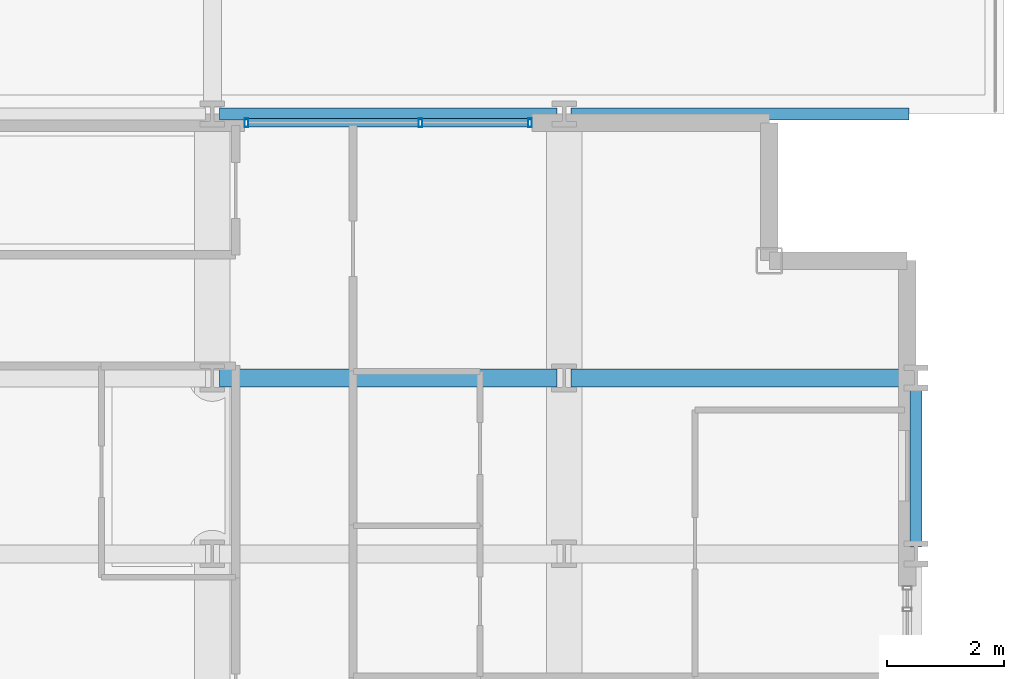
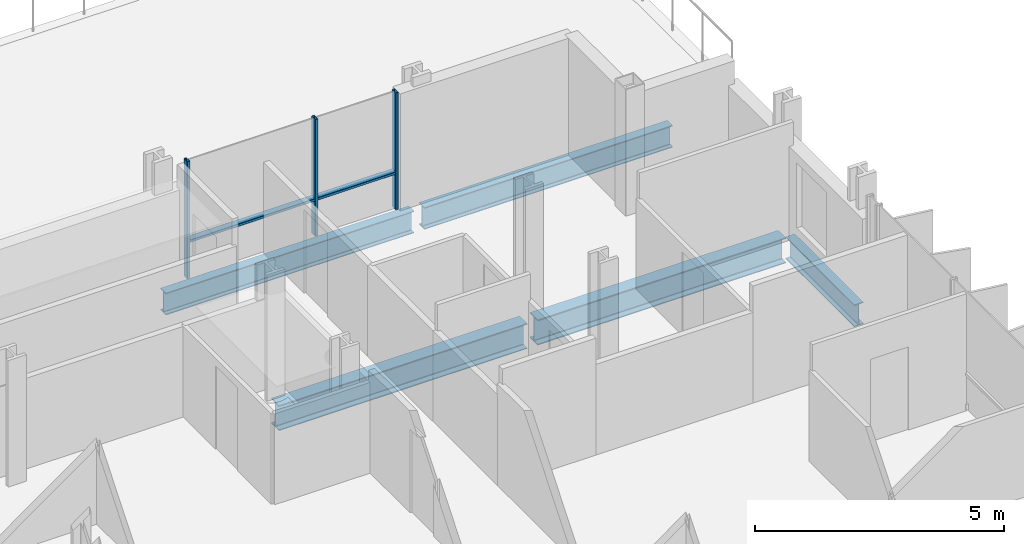
# One storey, part 20 of 38: 5 beams, 5 members, 1 element without a shape of its own.
"""IFC4 building model written with IfcOpenShell, lengths in metres."""

from ifc_helpers import new_model, si_unit, direction, frame, origin, origin_2d, place, context, subcontext, project, spatial, hollow_rectangle, i_section, extrude, material, layer, layer_set, material_profile, profile_set, type_object, element, aggregate, save


model = new_model("IFC4")

# Units and contexts
model_context = context("Model", 3, precision=1e-05, world=origin(), true_north=direction((0.0, 1.0)))
body_context = subcontext(model_context, "Body", "Model", "MODEL_VIEW")
ifc_project = project(units=[si_unit("LENGTHUNIT", "METRE"), si_unit("AREAUNIT", "SQUARE_METRE"), si_unit("VOLUMEUNIT", "CUBIC_METRE"), si_unit("PLANEANGLEUNIT", "RADIAN"), si_unit("MASSUNIT", "GRAM", prefix="KILO")], contexts=[model_context])

# Site, building, storey
site_placement = place(None, origin())
site = spatial("IfcSite", under=ifc_project, at=site_placement, CompositionType="ELEMENT")
building_placement = place(site_placement, origin())
building = spatial("IfcBuilding", under=site, at=building_placement, Name="Brevholm Reach", CompositionType="ELEMENT")
storey_placement = place(building_placement, frame((0.0, 0.0, 28.0)))
storey = spatial("IfcBuildingStorey", under=building, at=storey_placement, Name="L06", CompositionType="ELEMENT", Elevation=28.0)

# Beams
ifc_material_1 = material(Name="Structural Steel S355J2", Category="steel")
ifc_material_profile_1 = material_profile(ifc_material_1, i_section(OverallWidth=0.210693359375, OverallDepth=0.53955078125, WebThickness=0.01171875, FlangeThickness=0.018798828125, FilletRadius=0.0126953125, at=origin_2d()), Name="UKB 533x210x109")
ifc_profile_set_1 = profile_set([ifc_material_profile_1], Name="Structural Steel S355J2")
beam_type_1 = type_object("IfcBeamType", Name="BM-SP539", PredefinedType="SPANDREL", material=ifc_profile_set_1)
for number, where, z_axis, x_axis, name in (
    (1, (48.1201171875, 31.0, -0.539794921875), (1.0, 0.0, 0.0), (0.0, 1.0, 0.0), "L06 SP-01B Framing Beam"),
    (2, (54.1201171875, 31.0, -0.539794921875), (1.0, 0.0, 0.0), (0.0, 1.0, 0.0), "L06 SP-01B Framing Beam"),
):
    element("IfcBeam", number, at=place(storey_placement, frame(where, z_axis=z_axis, x_axis=x_axis)), inside=storey, type_object=beam_type_1, Name=name, PredefinedType="SPANDREL", context=body_context, shape_type="SweptSolid", body=[
        extrude(i_section(OverallWidth=0.210693359375, OverallDepth=0.53955078125, WebThickness=0.01171875, FlangeThickness=0.018798828125, FilletRadius=0.0126953125, at=origin_2d()), origin(), (0.0, 0.0, 1.0), 5.759765625),
    ])
beam_placement = place(storey_placement, frame((60.0, 23.6201171875, -0.539794921875), z_axis=(0.0, 1.0, 0.0), x_axis=(-1.0, 0.0, 0.0)))
element("IfcBeam", 3, at=beam_placement, inside=storey, type_object=beam_type_1, Name="L06 SP-01B Framing Beam", PredefinedType="SPANDREL", context=body_context, shape_type="SweptSolid", body=[
    extrude(i_section(OverallWidth=0.210693359375, OverallDepth=0.53955078125, WebThickness=0.01171875, FlangeThickness=0.018798828125, FilletRadius=0.0126953125, at=origin_2d()), origin(), (0.0, 0.0, 1.0), 2.759765625),
])
ifc_material_2 = material(Name="Structural Steel S355J2", Category="steel")
ifc_material_profile_2 = material_profile(ifc_material_2, i_section(OverallWidth=0.30712890625, OverallDepth=0.6201171875, WebThickness=0.01416015625, FlangeThickness=0.023681640625, FilletRadius=0.0166015625, at=origin_2d()), Name="UKB 610x305x179")
ifc_profile_set_2 = profile_set([ifc_material_profile_2], Name="Structural Steel S355J2")
beam_type_2 = type_object("IfcBeamType", Name="BM-UKB610H", PredefinedType="USERDEFINED", material=ifc_profile_set_2)
for number, where, z_axis, x_axis, name in (
    (4, (48.1201171875, 26.5, -0.580078125), (1.0, 0.0, 0.0), (0.0, 1.0, 0.0), "L06 G-06 Framing Beam"),
    (5, (54.1201171875, 26.5, -0.580078125), (1.0, 0.0, 0.0), (0.0, 1.0, 0.0), "L06 G-06 Framing Beam"),
):
    element("IfcBeam", number, at=place(storey_placement, frame(where, z_axis=z_axis, x_axis=x_axis)), inside=storey, type_object=beam_type_2, Name=name, ObjectType="GIRDER", PredefinedType="USERDEFINED", context=body_context, shape_type="SweptSolid", body=[
        extrude(i_section(OverallWidth=0.30712890625, OverallDepth=0.6201171875, WebThickness=0.01416015625, FlangeThickness=0.023681640625, FilletRadius=0.0166015625, at=origin_2d()), origin(), (0.0, 0.0, 1.0), 5.759765625),
    ])

# Curtain wall, members
ifc_material_3 = material(Name="Dark Anodised Aluminium 6063-T6 and Solar-Control Glass", Category="aluminium")
ifc_layer = layer(ifc_material_3, 0.14990234375)
ifc_layer_set = layer_set([ifc_layer], Name="Dark Anodised Aluminium 6063-T6 and Solar-Control Glass")
curtain_wall_type = type_object("IfcCurtainWallType", Name="CW-01", PredefinedType="NOTDEFINED", material=ifc_layer_set)
curtain_wall_placement = place(storey_placement, origin())
curtain_wall = element("IfcCurtainWall", 6, at=curtain_wall_placement, inside=storey, type_object=curtain_wall_type, Name="L06 Curtain Wall CW-01", PredefinedType="NOTDEFINED")
ifc_material_4 = material(Name="Dark Anodised Aluminium 6063-T6", Category="aluminium")
ifc_material_profile_3 = material_profile(ifc_material_4, hollow_rectangle(XDim=0.06494140625, YDim=0.14990234375, WallThickness=0.0048828125, InnerFilletRadius=0.0048828125, OuterFilletRadius=0.010009765625, at=origin_2d()), Name="RHS 150x65x5")
ifc_profile_set_3 = profile_set([ifc_material_profile_3], Name="Dark Anodised Aluminium 6063-T6")
member_type_1 = type_object("IfcMemberType", Name="CWM-150", PredefinedType="MULLION", material=ifc_profile_set_3)
member_1_placement = place(storey_placement, frame((48.58251953125, 30.85009765625, 0.0), z_axis=(0.0, 0.0, 1.0), x_axis=(1.0, 0.0, 0.0)))
member_1 = element("IfcMember", 7, at=member_1_placement, type_object=member_type_1, Name="CM-150 Mullion 1", PredefinedType="MULLION", context=body_context, shape_type="SweptSolid", body=[
    extrude(hollow_rectangle(XDim=0.06494140625, YDim=0.14990234375, WallThickness=0.0048828125, InnerFilletRadius=0.0048828125, OuterFilletRadius=0.010009765625, at=origin_2d()), origin(), (0.0, 0.0, 1.0), 2.8701171875),
])
member_2_placement = place(storey_placement, frame((51.550048828125, 30.85009765625, 0.0), z_axis=(0.0, 0.0, 1.0), x_axis=(1.0, 0.0, 0.0)))
member_2 = element("IfcMember", 8, at=member_2_placement, type_object=member_type_1, Name="CM-150 Mullion 2", PredefinedType="MULLION", context=body_context, shape_type="SweptSolid", body=[
    extrude(hollow_rectangle(XDim=0.06494140625, YDim=0.14990234375, WallThickness=0.0048828125, InnerFilletRadius=0.0048828125, OuterFilletRadius=0.010009765625, at=origin_2d()), origin(), (0.0, 0.0, 1.0), 2.8701171875),
])
member_3_placement = place(storey_placement, frame((53.41748046875, 30.85009765625, 0.0), z_axis=(0.0, 0.0, 1.0), x_axis=(1.0, 0.0, 0.0)))
member_3 = element("IfcMember", 9, at=member_3_placement, type_object=member_type_1, Name="CM-150 Mullion 3", PredefinedType="MULLION", context=body_context, shape_type="SweptSolid", body=[
    extrude(hollow_rectangle(XDim=0.06494140625, YDim=0.14990234375, WallThickness=0.0048828125, InnerFilletRadius=0.0048828125, OuterFilletRadius=0.010009765625, at=origin_2d()), origin(), (0.0, 0.0, 1.0), 2.8701171875),
])
ifc_material_5 = material(Name="Dark Anodised Aluminium 6063-T6", Category="aluminium")
ifc_material_profile_4 = material_profile(ifc_material_5, hollow_rectangle(XDim=0.06494140625, YDim=0.14990234375, WallThickness=0.0048828125, InnerFilletRadius=0.0048828125, OuterFilletRadius=0.010009765625, at=origin_2d()), Name="RHS 150x65x5")
ifc_profile_set_4 = profile_set([ifc_material_profile_4], Name="Dark Anodised Aluminium 6063-T6")
member_type_2 = type_object("IfcMemberType", Name="CWT-150", PredefinedType="NOTDEFINED", material=ifc_profile_set_4)
member_4_placement = place(storey_placement, frame((48.614990234375, 30.85009765625, 0.89990234375), z_axis=(1.0, 0.0, 0.0), x_axis=(0.0, 0.0, 1.0)))
member_4 = element("IfcMember", 10, at=member_4_placement, type_object=member_type_2, Name="CT-150 Transom 1.1", ObjectType="TRANSOM", PredefinedType="USERDEFINED", context=body_context, shape_type="SweptSolid", body=[
    extrude(hollow_rectangle(XDim=0.06494140625, YDim=0.14990234375, WallThickness=0.0048828125, InnerFilletRadius=0.0048828125, OuterFilletRadius=0.010009765625, at=origin_2d()), origin(), (0.0, 0.0, 1.0), 2.902587890625),
])
member_5_placement = place(storey_placement, frame((51.58251953125, 30.85009765625, 0.89990234375), z_axis=(1.0, 0.0, 0.0), x_axis=(0.0, 0.0, 1.0)))
member_5 = element("IfcMember", 11, at=member_5_placement, type_object=member_type_2, Name="CT-150 Transom 2.1", ObjectType="TRANSOM", PredefinedType="USERDEFINED", context=body_context, shape_type="SweptSolid", body=[
    extrude(hollow_rectangle(XDim=0.06494140625, YDim=0.14990234375, WallThickness=0.0048828125, InnerFilletRadius=0.0048828125, OuterFilletRadius=0.010009765625, at=origin_2d()), origin(), (0.0, 0.0, 1.0), 1.802490234375),
])
aggregate(curtain_wall, [member_1, member_2, member_3, member_4, member_5])

save(model, "model.ifc")
